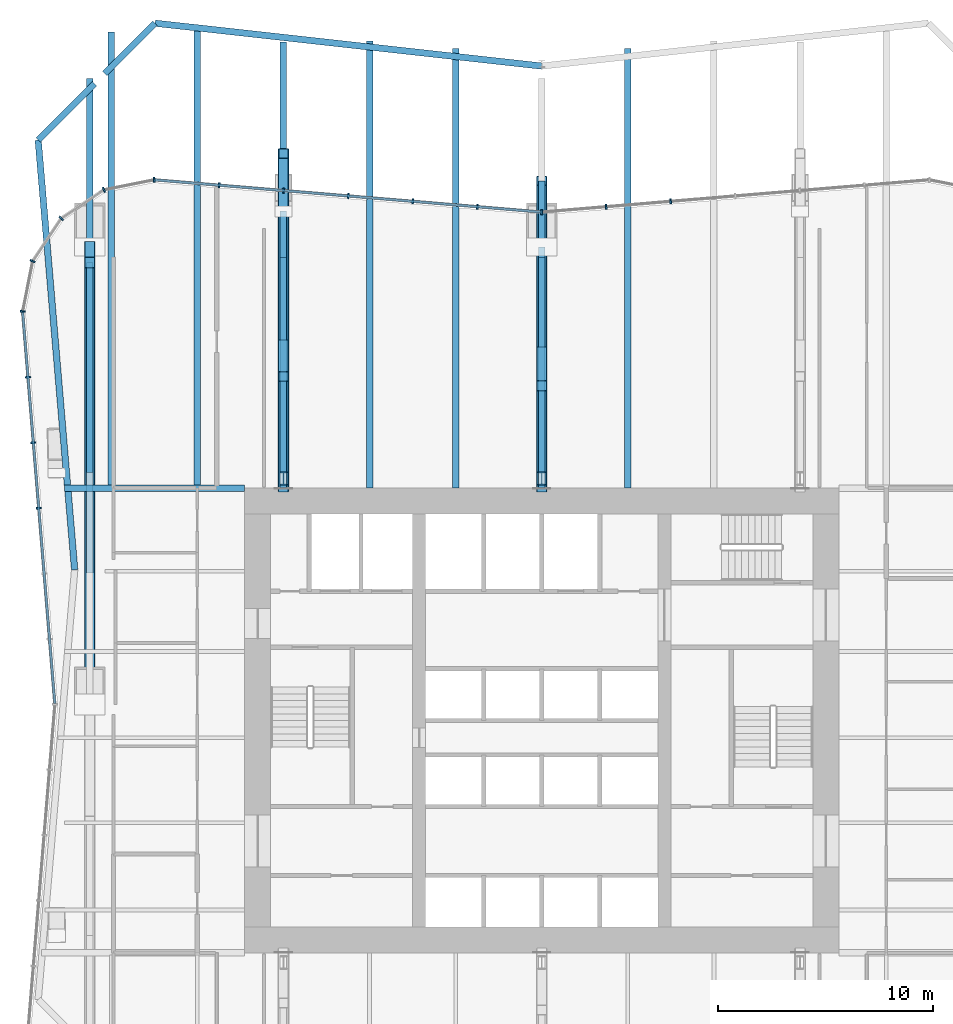
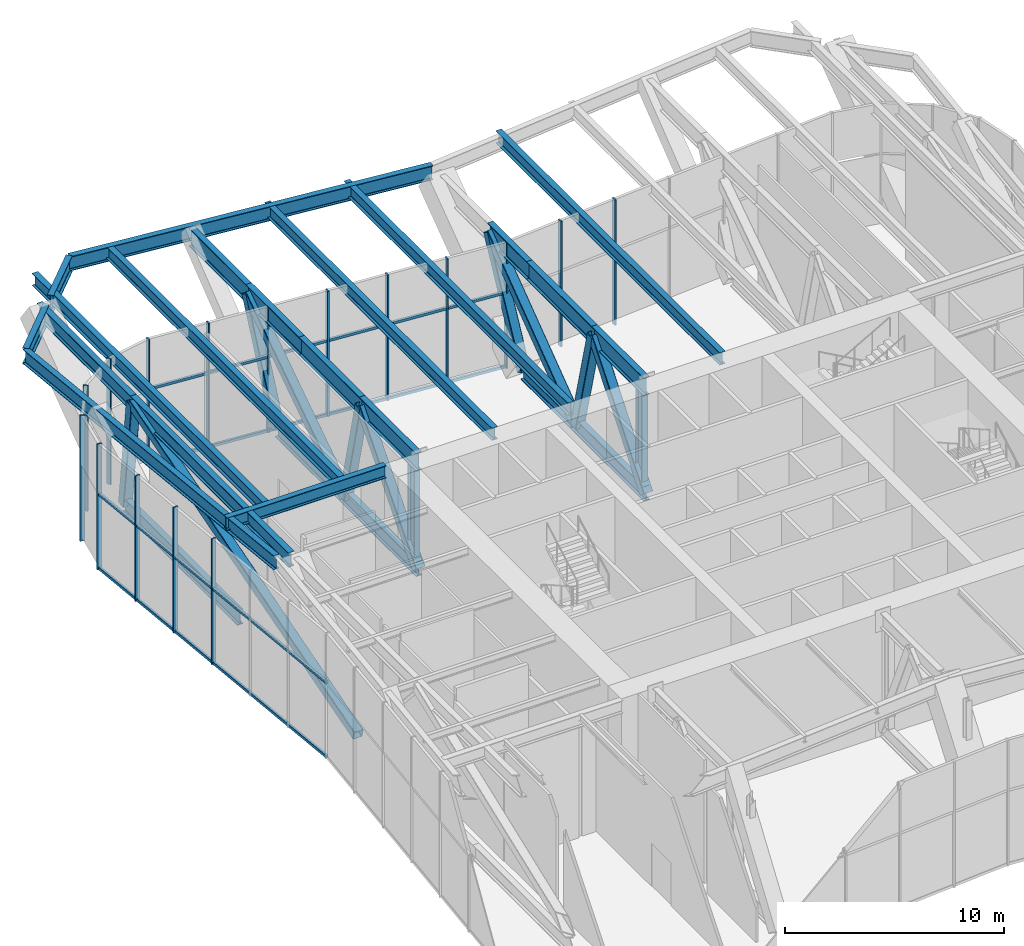
# One storey, part 8 of 17: 44 members, 10 beams, 3 elements without a shape of their own.
"""IFC4 building model written with IfcOpenShell, lengths in metres."""

from ifc_helpers import new_model, si_unit, direction, frame, origin, origin_2d, place, context, subcontext, project, spatial, rectangle, hollow_rectangle, i_section, extrude, material, material_profile, profile_set, type_object, element, aggregate, save


model = new_model("IFC4")

# Units and contexts
model_context = context("Model", 3, precision=1e-05, world=origin(), true_north=direction((0.0, 1.0)))
body_context = subcontext(model_context, "Body", "Model", "MODEL_VIEW")
ifc_project = project(units=[si_unit("LENGTHUNIT", "METRE"), si_unit("AREAUNIT", "SQUARE_METRE"), si_unit("VOLUMEUNIT", "CUBIC_METRE"), si_unit("PLANEANGLEUNIT", "RADIAN"), si_unit("MASSUNIT", "GRAM", prefix="KILO")], contexts=[model_context])

# Site, building, storey
site_placement = place(None, origin())
site = spatial("IfcSite", under=ifc_project, at=site_placement, CompositionType="ELEMENT")
building_placement = place(site_placement, origin())
building = spatial("IfcBuilding", under=site, at=building_placement, Name="Verdant Reach Tower", CompositionType="ELEMENT")
storey_placement = place(building_placement, frame((0.0, 0.0, 114.0)))
storey = spatial("IfcBuildingStorey", under=building, at=storey_placement, Name="L26 Plant", CompositionType="ELEMENT", Elevation=114.0)

# Curtain wall, members
ifc_material_1 = material(Name="Anodised aluminium", Category="aluminium")
curtain_wall_type = type_object("IfcCurtainWallType", Name="EN-CW SYSTEM PLANT", PredefinedType="NOTDEFINED", material=ifc_material_1)
curtain_wall_1_placement = place(storey_placement, origin())
curtain_wall_1 = element("IfcCurtainWall", 1, at=curtain_wall_1_placement, inside=storey, type_object=curtain_wall_type, Name="Curtain wall north, L26", PredefinedType="NOTDEFINED")
ifc_material_profile_1 = material_profile(ifc_material_1, rectangle(XDim=0.238037109375, YDim=0.080078125, at=origin_2d()), Name="Mullion 80x240")
ifc_profile_set_1 = profile_set([ifc_material_profile_1], Name="Anodised aluminium")
member_type_1 = type_object("IfcMemberType", Name="EN-MULLION PLANT", PredefinedType="MULLION", material=ifc_profile_set_1)
member_1_placement = place(storey_placement, frame((5.990234375, 52.11865234375, -0.35009765625), z_axis=(0.0, 0.0, 1.0), x_axis=(-0.083045479859, 0.996545758244, 0.0)))
member_1 = element("IfcMember", 2, at=member_1_placement, type_object=member_type_1, Name="Mullion north face part 1 5, L26", PredefinedType="MULLION", context=body_context, shape_type="SweptSolid", body=[
    extrude(rectangle(XDim=0.238037109375, YDim=0.080078125, at=origin_2d()), origin(), (0.0, 0.0, 1.0), 7.0),
])
member_2_placement = place(storey_placement, frame((2.990234375, 51.86865234375, -0.35009765625), z_axis=(0.0, 0.0, 1.0), x_axis=(-0.083045479859, 0.996545758244, 0.0)))
member_2 = element("IfcMember", 3, at=member_2_placement, type_object=member_type_1, Name="Mullion north face part 1 6, L26", PredefinedType="MULLION", context=body_context, shape_type="SweptSolid", body=[
    extrude(rectangle(XDim=0.238037109375, YDim=0.080078125, at=origin_2d()), origin(), (0.0, 0.0, 1.0), 7.0),
])
member_3_placement = place(storey_placement, frame((0.0, 51.618896484375, -0.35009765625), z_axis=(0.0, 0.0, 1.0), x_axis=(0.0, 1.0, 0.0)))
member_3 = element("IfcMember", 4, at=member_3_placement, type_object=member_type_1, Name="Mullion north face part 2 1, L26", PredefinedType="MULLION", context=body_context, shape_type="SweptSolid", body=[
    extrude(rectangle(XDim=0.238037109375, YDim=0.080078125, at=origin_2d()), origin(), (0.0, 0.0, 1.0), 7.0),
])
member_4_placement = place(storey_placement, frame((-2.990234375, 51.86865234375, -0.35009765625), z_axis=(0.0, 0.0, 1.0), x_axis=(0.083045479859, 0.996545758244, 0.0)))
member_4 = element("IfcMember", 5, at=member_4_placement, type_object=member_type_1, Name="Mullion north face part 2 2, L26", PredefinedType="MULLION", context=body_context, shape_type="SweptSolid", body=[
    extrude(rectangle(XDim=0.238037109375, YDim=0.080078125, at=origin_2d()), origin(), (0.0, 0.0, 1.0), 7.0),
])
member_5_placement = place(storey_placement, frame((-5.990234375, 52.11865234375, -0.35009765625), z_axis=(0.0, 0.0, 1.0), x_axis=(0.083045479859, 0.996545758244, 0.0)))
member_5 = element("IfcMember", 6, at=member_5_placement, type_object=member_type_1, Name="Mullion north face part 2 3, L26", PredefinedType="MULLION", context=body_context, shape_type="SweptSolid", body=[
    extrude(rectangle(XDim=0.238037109375, YDim=0.080078125, at=origin_2d()), origin(), (0.0, 0.0, 1.0), 7.0),
])
member_6_placement = place(storey_placement, frame((-8.990234375, 52.36865234375, -0.35009765625), z_axis=(0.0, 0.0, 1.0), x_axis=(0.083045479859, 0.996545758244, 0.0)))
member_6 = element("IfcMember", 7, at=member_6_placement, type_object=member_type_1, Name="Mullion north face part 2 4, L26", PredefinedType="MULLION", context=body_context, shape_type="SweptSolid", body=[
    extrude(rectangle(XDim=0.238037109375, YDim=0.080078125, at=origin_2d()), origin(), (0.0, 0.0, 1.0), 7.0),
])
member_7_placement = place(storey_placement, frame((-11.990234375, 52.61865234375, -0.35009765625), z_axis=(0.0, 0.0, 1.0), x_axis=(0.083045479859, 0.996545758244, 0.0)))
member_7 = element("IfcMember", 8, at=member_7_placement, type_object=member_type_1, Name="Mullion north face part 2 5, L26", PredefinedType="MULLION", context=body_context, shape_type="SweptSolid", body=[
    extrude(rectangle(XDim=0.238037109375, YDim=0.080078125, at=origin_2d()), origin(), (0.0, 0.0, 1.0), 7.0),
])
member_8_placement = place(storey_placement, frame((-14.990234375, 52.86865234375, -0.35009765625), z_axis=(0.0, 0.0, 1.0), x_axis=(0.083045479859, 0.996545758244, 0.0)))
member_8 = element("IfcMember", 9, at=member_8_placement, type_object=member_type_1, Name="Mullion north face part 2 6, L26", PredefinedType="MULLION", context=body_context, shape_type="SweptSolid", body=[
    extrude(rectangle(XDim=0.238037109375, YDim=0.080078125, at=origin_2d()), origin(), (0.0, 0.0, 1.0), 7.0),
])

curtain_wall_2_placement = place(storey_placement, origin())
curtain_wall_2 = element("IfcCurtainWall", 10, at=curtain_wall_2_placement, inside=storey, type_object=curtain_wall_type, Name="Curtain wall north-west corner, L26", PredefinedType="NOTDEFINED")
member_9_placement = place(storey_placement, frame((-18.0068359375, 53.118896484375, -0.35009765625), z_axis=(0.0, 0.0, 1.0), x_axis=(-0.056569187765, 0.998398681387, 0.0)))
member_9 = element("IfcMember", 11, at=member_9_placement, type_object=member_type_1, Name="Mullion north-west corner 1, L26", PredefinedType="MULLION", context=body_context, shape_type="SweptSolid", body=[
    extrude(rectangle(XDim=0.238037109375, YDim=0.080078125, at=origin_2d()), origin(), (0.0, 0.0, 1.0), 7.0),
])
member_10_placement = place(storey_placement, frame((-20.341552734375, 52.6533203125, -0.35009765625), z_axis=(0.0, 0.0, 1.0), x_axis=(-0.382693853776, 0.923875215753, 0.0)))
member_10 = element("IfcMember", 12, at=member_10_placement, type_object=member_type_1, Name="Mullion north-west corner 2, L26", PredefinedType="MULLION", context=body_context, shape_type="SweptSolid", body=[
    extrude(rectangle(XDim=0.238037109375, YDim=0.080078125, at=origin_2d()), origin(), (0.0, 0.0, 1.0), 7.0),
])
member_11_placement = place(storey_placement, frame((-22.32666015625, 51.32666015625, -0.35009765625), z_axis=(0.0, 0.0, 1.0), x_axis=(-0.707106781187, 0.707106781187, 0.0)))
member_11 = element("IfcMember", 13, at=member_11_placement, type_object=member_type_1, Name="Mullion north-west corner 3, L26", PredefinedType="MULLION", context=body_context, shape_type="SweptSolid", body=[
    extrude(rectangle(XDim=0.238037109375, YDim=0.080078125, at=origin_2d()), origin(), (0.0, 0.0, 1.0), 7.0),
])
member_12_placement = place(storey_placement, frame((-23.6533203125, 49.341552734375, -0.35009765625), z_axis=(0.0, 0.0, 1.0), x_axis=(-0.923875215753, 0.382693853776, 0.0)))
member_12 = element("IfcMember", 14, at=member_12_placement, type_object=member_type_1, Name="Mullion north-west corner 4, L26", PredefinedType="MULLION", context=body_context, shape_type="SweptSolid", body=[
    extrude(rectangle(XDim=0.238037109375, YDim=0.080078125, at=origin_2d()), origin(), (0.0, 0.0, 1.0), 7.0),
])
aggregate(curtain_wall_2, [member_9, member_10, member_11, member_12])

curtain_wall_3_placement = place(storey_placement, origin())
curtain_wall_3 = element("IfcCurtainWall", 15, at=curtain_wall_3_placement, inside=storey, type_object=curtain_wall_type, Name="Curtain wall west, L26", PredefinedType="NOTDEFINED")
member_13_placement = place(storey_placement, frame((-24.118896484375, 47.0068359375, -0.35009765625), z_axis=(0.0, 0.0, 1.0), x_axis=(-0.998366452275, 0.057135164055, 0.0)))
member_13 = element("IfcMember", 16, at=member_13_placement, type_object=member_type_1, Name="Mullion west face part 1 1, L26", PredefinedType="MULLION", context=body_context, shape_type="SweptSolid", body=[
    extrude(rectangle(XDim=0.238037109375, YDim=0.080078125, at=origin_2d()), origin(), (0.0, 0.0, 1.0), 7.0),
])
member_14_placement = place(storey_placement, frame((-23.86865234375, 43.948486328125, -0.35009765625), z_axis=(0.0, 0.0, 1.0), x_axis=(-0.996639273542, -0.081915556724, 0.0)))
member_14 = element("IfcMember", 17, at=member_14_placement, type_object=member_type_1, Name="Mullion west face part 1 2, L26", PredefinedType="MULLION", context=body_context, shape_type="SweptSolid", body=[
    extrude(rectangle(XDim=0.238037109375, YDim=0.080078125, at=origin_2d()), origin(), (0.0, 0.0, 1.0), 7.0),
])
member_15_placement = place(storey_placement, frame((-23.61865234375, 40.906982421875, -0.35009765625), z_axis=(0.0, 0.0, 1.0), x_axis=(-0.996639273542, -0.081915556724, 0.0)))
member_15 = element("IfcMember", 18, at=member_15_placement, type_object=member_type_1, Name="Mullion west face part 1 3, L26", PredefinedType="MULLION", context=body_context, shape_type="SweptSolid", body=[
    extrude(rectangle(XDim=0.238037109375, YDim=0.080078125, at=origin_2d()), origin(), (0.0, 0.0, 1.0), 7.0),
])
member_16_placement = place(storey_placement, frame((-23.36865234375, 37.865234375, -0.35009765625), z_axis=(0.0, 0.0, 1.0), x_axis=(-0.996639273542, -0.081915556724, 0.0)))
member_16 = element("IfcMember", 19, at=member_16_placement, type_object=member_type_1, Name="Mullion west face part 1 4, L26", PredefinedType="MULLION", context=body_context, shape_type="SweptSolid", body=[
    extrude(rectangle(XDim=0.238037109375, YDim=0.080078125, at=origin_2d()), origin(), (0.0, 0.0, 1.0), 7.0),
])

# Member
ifc_material_profile_2 = material_profile(ifc_material_1, rectangle(XDim=0.1201171875, YDim=0.14990234375, at=origin_2d()), Name="Transom 150x120")
ifc_profile_set_2 = profile_set([ifc_material_profile_2], Name="Anodised aluminium")
member_type_2 = type_object("IfcMemberType", Name="EN-TRANSOM PLANT", PredefinedType="USERDEFINED", material=ifc_profile_set_2)
member_17_placement = place(storey_placement, frame((-0.039794921875, 51.622314453125, -0.27490234375), z_axis=(-0.996549220477, 0.083003922598, 0.0), x_axis=(-0.083003922598, -0.996549220477, 0.0)))
member_17 = element("IfcMember", 20, at=member_17_placement, type_object=member_type_2, Name="Transom north face part 2 1.1, L26", ObjectType="TRANSOM", PredefinedType="USERDEFINED", context=body_context, shape_type="SweptSolid", body=[
    extrude(rectangle(XDim=0.1201171875, YDim=0.14990234375, at=origin_2d()), origin(), (0.0, 0.0, 1.0), 17.989013671875),
])

member_18_placement = place(storey_placement, frame((-0.039794921875, 51.622314453125, 3.85009765625), z_axis=(-0.996549220477, 0.083003922598, 0.0), x_axis=(-0.083003922598, -0.996549220477, 0.0)))
member_18 = element("IfcMember", 21, at=member_18_placement, type_object=member_type_2, Name="Transom north face part 2 1.2, L26", ObjectType="TRANSOM", PredefinedType="USERDEFINED", context=body_context, shape_type="SweptSolid", body=[
    extrude(rectangle(XDim=0.1201171875, YDim=0.14990234375, at=origin_2d()), origin(), (0.0, 0.0, 1.0), 17.989013671875),
])

aggregate(curtain_wall_1, [member_1, member_2, member_3, member_4, member_5, member_6, member_7, member_8, member_17, member_18])

member_19_placement = place(storey_placement, frame((-24.115478515625, 46.967041015625, -0.27490234375), z_axis=(0.081868928861, -0.996643104871, 0.0), x_axis=(0.996643104871, 0.081868928861, 0.0)))
member_19 = element("IfcMember", 22, at=member_19_placement, type_object=member_type_2, Name="Transom west face part 1 1.1, L26", ObjectType="TRANSOM", PredefinedType="USERDEFINED", context=body_context, shape_type="SweptSolid", body=[
    extrude(rectangle(XDim=0.1201171875, YDim=0.14990234375, at=origin_2d()), origin(), (0.0, 0.0, 1.0), 18.238525390625),
])

member_20_placement = place(storey_placement, frame((-24.115478515625, 46.967041015625, 3.85009765625), z_axis=(0.081868928861, -0.996643104871, 0.0), x_axis=(0.996643104871, 0.081868928861, 0.0)))
member_20 = element("IfcMember", 23, at=member_20_placement, type_object=member_type_2, Name="Transom west face part 1 1.2, L26", ObjectType="TRANSOM", PredefinedType="USERDEFINED", context=body_context, shape_type="SweptSolid", body=[
    extrude(rectangle(XDim=0.1201171875, YDim=0.14990234375, at=origin_2d()), origin(), (0.0, 0.0, 1.0), 18.238525390625),
])

aggregate(curtain_wall_3, [member_13, member_14, member_15, member_16, member_19, member_20])

# Beams
ifc_material_2 = material(Name="Steel S355", Category="steel")
ifc_material_profile_3 = material_profile(ifc_material_2, i_section(OverallWidth=0.300048828125, OverallDepth=0.699951171875, WebThickness=0.01708984375, FlangeThickness=0.031982421875, FilletRadius=0.027099609375, at=origin_2d()), Name="HEB 700")
ifc_profile_set_3 = profile_set([ifc_material_profile_3], Name="Steel S355")
beam_type_1 = type_object("IfcBeamType", Name="ST-BEAM-HEB700", PredefinedType="BEAM", material=ifc_profile_set_3)
beam_1_placement = place(storey_placement, frame((-13.800048828125, 38.800048828125, 6.52001953125), z_axis=(-1.0, 0.0, 0.0), x_axis=(0.0, -1.0, 0.0)))
element("IfcBeam", 24, at=beam_1_placement, inside=storey, type_object=beam_type_1, Name="Trimmer beam, L26 Plant", PredefinedType="BEAM", context=body_context, shape_type="SweptSolid", body=[
    extrude(i_section(OverallWidth=0.300048828125, OverallDepth=0.699951171875, WebThickness=0.01708984375, FlangeThickness=0.031982421875, FilletRadius=0.027099609375, at=origin_2d()), origin(), (0.0, 0.0, 1.0), 8.38330078125),
])
ifc_material_profile_4 = material_profile(ifc_material_2, i_section(OverallWidth=0.300048828125, OverallDepth=0.68994140625, WebThickness=0.014404296875, FlangeThickness=0.027099609375, FilletRadius=0.027099609375, at=origin_2d()), Name="HEA 700")
ifc_profile_set_4 = profile_set([ifc_material_profile_4], Name="Steel S355")
beam_type_2 = type_object("IfcBeamType", Name="ST-JOIST-HEA700", PredefinedType="JOIST", material=ifc_profile_set_4)
beam_2_placement = place(storey_placement, frame((-20.0, 38.89990234375, 6.52490234375), z_axis=(0.0, 1.0, 0.0), x_axis=(-1.0, 0.0, 0.0)))
element("IfcBeam", 25, at=beam_2_placement, inside=storey, type_object=beam_type_2, Name="Floor joist, L26 Plant", PredefinedType="JOIST", context=body_context, shape_type="SweptSolid", body=[
    extrude(i_section(OverallWidth=0.300048828125, OverallDepth=0.68994140625, WebThickness=0.014404296875, FlangeThickness=0.027099609375, FilletRadius=0.027099609375, at=origin_2d()), origin(), (0.0, 0.0, 1.0), 21.090576171875),
])
beam_3_placement = place(storey_placement, frame((-16.0, 38.89990234375, 6.52490234375), z_axis=(0.0, 1.0, 0.0), x_axis=(-1.0, 0.0, 0.0)))
element("IfcBeam", 26, at=beam_3_placement, inside=storey, type_object=beam_type_2, Name="Floor joist, L26 Plant", PredefinedType="JOIST", context=body_context, shape_type="SweptSolid", body=[
    extrude(i_section(OverallWidth=0.300048828125, OverallDepth=0.68994140625, WebThickness=0.014404296875, FlangeThickness=0.027099609375, FilletRadius=0.027099609375, at=origin_2d()), origin(), (0.0, 0.0, 1.0), 21.331298828125),
])
beam_4_placement = place(storey_placement, frame((-8.0, 38.800048828125, 6.52490234375), z_axis=(0.0, 1.0, 0.0), x_axis=(-1.0, 0.0, 0.0)))
element("IfcBeam", 27, at=beam_4_placement, inside=storey, type_object=beam_type_2, Name="Floor joist, L26 Plant", PredefinedType="JOIST", context=body_context, shape_type="SweptSolid", body=[
    extrude(i_section(OverallWidth=0.300048828125, OverallDepth=0.68994140625, WebThickness=0.014404296875, FlangeThickness=0.027099609375, FilletRadius=0.027099609375, at=origin_2d()), origin(), (0.0, 0.0, 1.0), 20.7646484375),
])
for number, where, z_axis, x_axis, name in (
    (28, (-4.0, 38.800048828125, 6.52490234375), (0.0, 1.0, 0.0), (-1.0, 0.0, 0.0), "Floor joist, L26 Plant"),
    (29, (4.0, 38.800048828125, 6.52490234375), (0.0, 1.0, 0.0), (-1.0, 0.0, 0.0), "Floor joist, L26 Plant"),
):
    element("IfcBeam", number, at=place(storey_placement, frame(where, z_axis=z_axis, x_axis=x_axis)), inside=storey, type_object=beam_type_2, Name=name, PredefinedType="JOIST", context=body_context, shape_type="SweptSolid", body=[
        extrude(i_section(OverallWidth=0.300048828125, OverallDepth=0.68994140625, WebThickness=0.014404296875, FlangeThickness=0.027099609375, FilletRadius=0.027099609375, at=origin_2d()), origin(), (0.0, 0.0, 1.0), 20.43115234375),
    ])
ifc_material_profile_5 = material_profile(ifc_material_2, i_section(OverallWidth=0.300048828125, OverallDepth=0.800048828125, WebThickness=0.017578125, FlangeThickness=0.032958984375, FilletRadius=0.030029296875, at=origin_2d()), Name="HEB 800")
ifc_profile_set_5 = profile_set([ifc_material_profile_5], Name="Steel S355")
beam_type_3 = type_object("IfcBeamType", Name="ST-SPANDREL-HEB800", PredefinedType="SPANDREL", material=ifc_profile_set_5)
beam_5_placement = place(storey_placement, frame((-21.699951171875, 35.0, 6.469970703125), z_axis=(-0.084629683937, 0.996412473124, 0.0), x_axis=(-0.996412473124, -0.084629683937, 0.0)))
element("IfcBeam", 30, at=beam_5_placement, inside=storey, type_object=beam_type_3, Name="Edge beam, L26 Plant", PredefinedType="SPANDREL", context=body_context, shape_type="SweptSolid", body=[
    extrude(i_section(OverallWidth=0.300048828125, OverallDepth=0.800048828125, WebThickness=0.017578125, FlangeThickness=0.032958984375, FilletRadius=0.030029296875, at=origin_2d()), origin(), (0.0, 0.0, 1.0), 20.034912109375),
])
beam_6_placement = place(storey_placement, frame((-17.9658203125, 60.39501953125, 6.469970703125), z_axis=(0.993916961694, -0.110132071882, 0.0), x_axis=(0.110132071882, 0.993916961694, 0.0)))
element("IfcBeam", 31, at=beam_6_placement, inside=storey, type_object=beam_type_3, Name="Edge beam, L26 Plant", PredefinedType="SPANDREL", context=body_context, shape_type="SweptSolid", body=[
    extrude(i_section(OverallWidth=0.300048828125, OverallDepth=0.800048828125, WebThickness=0.017578125, FlangeThickness=0.032958984375, FilletRadius=0.030029296875, at=origin_2d()), origin(), (0.0, 0.0, 1.0), 18.07568359375),
])
ifc_material_profile_6 = material_profile(ifc_material_2, i_section(OverallWidth=0.302001953125, OverallDepth=0.909912109375, WebThickness=0.02099609375, FlangeThickness=0.0400390625, FilletRadius=0.030029296875, at=origin_2d()), Name="HEM 900")
ifc_profile_set_6 = profile_set([ifc_material_profile_6], Name="Steel S355")
beam_type_4 = type_object("IfcBeamType", Name="ST-SPANDREL-HEM900", PredefinedType="SPANDREL", material=ifc_profile_set_6)
beam_7_placement = place(storey_placement, frame((-23.3955078125, 54.963134765625, 6.4150390625), z_axis=(0.706974673431, 0.707238864265, 0.0), x_axis=(-0.707238864265, 0.706974673431, 0.0)))
element("IfcBeam", 32, at=beam_7_placement, inside=storey, type_object=beam_type_4, Name="Edge beam, L26 Plant", PredefinedType="SPANDREL", context=body_context, shape_type="SweptSolid", body=[
    extrude(i_section(OverallWidth=0.302001953125, OverallDepth=0.909912109375, WebThickness=0.02099609375, FlangeThickness=0.0400390625, FilletRadius=0.030029296875, at=origin_2d()), origin(), (0.0, 0.0, 1.0), 3.696533203125),
])
beam_8_placement = place(storey_placement, frame((-20.300048828125, 58.059814453125, 6.4150390625), z_axis=(0.706958881844, 0.707254649601, 0.0), x_axis=(-0.707254649601, 0.706958881844, 0.0)))
element("IfcBeam", 33, at=beam_8_placement, inside=storey, type_object=beam_type_4, Name="Edge beam, L26 Plant", PredefinedType="SPANDREL", context=body_context, shape_type="SweptSolid", body=[
    extrude(i_section(OverallWidth=0.302001953125, OverallDepth=0.909912109375, WebThickness=0.02099609375, FlangeThickness=0.0400390625, FilletRadius=0.030029296875, at=origin_2d()), origin(), (0.0, 0.0, 1.0), 3.3017578125),
])

# Members
ifc_material_3 = material(Name="Steel S460", Category="steel")
ifc_material_profile_7 = material_profile(ifc_material_3, hollow_rectangle(XDim=0.5, YDim=0.5, WallThickness=0.02490234375, InnerFilletRadius=0.02490234375, OuterFilletRadius=0.050048828125, at=origin_2d()), Name="RHS 500x500x25")
ifc_profile_set_7 = profile_set([ifc_material_profile_7], Name="Steel S460")
member_type_3 = type_object("IfcMemberType", Name="ST-TRUSS-BRACE-RHS500x500x25", PredefinedType="BRACE", material=ifc_profile_set_7)
member_21_placement = place(storey_placement, frame((-12.0, 38.800048828125, 0.406982421875), z_axis=(0.0, 0.656084552921, 0.754687391851), x_axis=(-1.0, 0.0, 0.0)))
element("IfcMember", 34, at=member_21_placement, inside=storey, type_object=member_type_3, Name="Outrigger truss C north, diagonal, L26 Plant", PredefinedType="BRACE", context=body_context, shape_type="SweptSolid", body=[
    extrude(hollow_rectangle(XDim=0.5, YDim=0.5, WallThickness=0.02490234375, InnerFilletRadius=0.02490234375, OuterFilletRadius=0.050048828125, at=origin_2d()), origin(), (0.0, 0.0, 1.0), 7.89599609375),
])
member_22_placement = place(storey_placement, frame((-12.0, 43.98046875, 6.365966796875), z_axis=(0.0, 0.237888649793, -0.971292432947), x_axis=(-1.0, 0.0, 0.0)))
element("IfcMember", 35, at=member_22_placement, inside=storey, type_object=member_type_3, Name="Outrigger truss C north, diagonal, L26 Plant", PredefinedType="BRACE", context=body_context, shape_type="SweptSolid", body=[
    extrude(hollow_rectangle(XDim=0.5, YDim=0.5, WallThickness=0.02490234375, InnerFilletRadius=0.02490234375, OuterFilletRadius=0.050048828125, at=origin_2d()), origin(), (0.0, 0.0, 1.0), 6.135009765625),
])
member_23_placement = place(storey_placement, frame((-12.0, 45.43994140625, 0.406982421875), z_axis=(0.0, 0.830989864134, 0.556287556671), x_axis=(-1.0, 0.0, 0.0)))
element("IfcMember", 36, at=member_23_placement, inside=storey, type_object=member_type_3, Name="Outrigger truss C north, diagonal, L26 Plant", PredefinedType="BRACE", context=body_context, shape_type="SweptSolid", body=[
    extrude(hollow_rectangle(XDim=0.5, YDim=0.5, WallThickness=0.02490234375, InnerFilletRadius=0.02490234375, OuterFilletRadius=0.050048828125, at=origin_2d()), origin(), (0.0, 0.0, 1.0), 10.712158203125),
])
member_24_placement = place(storey_placement, frame((-12.0, 54.341552734375, 6.365966796875), z_axis=(0.0, -0.410470306807, -0.911873964553), x_axis=(1.0, 0.0, 0.0)))
element("IfcMember", 37, at=member_24_placement, inside=storey, type_object=member_type_3, Name="Outrigger truss C north, diagonal, L26 Plant", PredefinedType="BRACE", context=body_context, shape_type="SweptSolid", body=[
    extrude(hollow_rectangle(XDim=0.5, YDim=0.5, WallThickness=0.02490234375, InnerFilletRadius=0.02490234375, OuterFilletRadius=0.050048828125, at=origin_2d()), origin(), (0.0, 0.0, 1.0), 6.534912109375),
])
member_25_placement = place(storey_placement, frame((0.0, 38.800048828125, 0.406982421875), z_axis=(0.0, 0.623788638685, 0.78159307459), x_axis=(-1.0, 0.0, 0.0)))
element("IfcMember", 38, at=member_25_placement, inside=storey, type_object=member_type_3, Name="Outrigger truss D north, diagonal, L26 Plant", PredefinedType="BRACE", context=body_context, shape_type="SweptSolid", body=[
    extrude(hollow_rectangle(XDim=0.5, YDim=0.5, WallThickness=0.02490234375, InnerFilletRadius=0.02490234375, OuterFilletRadius=0.050048828125, at=origin_2d()), origin(), (0.0, 0.0, 1.0), 7.624267578125),
])
member_26_placement = place(storey_placement, frame((0.0, 43.555908203125, 6.365966796875), z_axis=(0.0, 0.251556595837, -0.967842590038), x_axis=(-1.0, 0.0, 0.0)))
element("IfcMember", 39, at=member_26_placement, inside=storey, type_object=member_type_3, Name="Outrigger truss D north, diagonal, L26 Plant", PredefinedType="BRACE", context=body_context, shape_type="SweptSolid", body=[
    extrude(hollow_rectangle(XDim=0.5, YDim=0.5, WallThickness=0.02490234375, InnerFilletRadius=0.02490234375, OuterFilletRadius=0.050048828125, at=origin_2d()), origin(), (0.0, 0.0, 1.0), 6.156982421875),
])
member_27_placement = place(storey_placement, frame((0.0, 45.104736328125, 0.406982421875), z_axis=(0.0, 0.800627004739, 0.599163082376), x_axis=(-1.0, 0.0, 0.0)))
element("IfcMember", 40, at=member_27_placement, inside=storey, type_object=member_type_3, Name="Outrigger truss D north, diagonal, L26 Plant", PredefinedType="BRACE", context=body_context, shape_type="SweptSolid", body=[
    extrude(hollow_rectangle(XDim=0.5, YDim=0.5, WallThickness=0.02490234375, InnerFilletRadius=0.02490234375, OuterFilletRadius=0.050048828125, at=origin_2d()), origin(), (0.0, 0.0, 1.0), 9.945556640625),
])
member_28_placement = place(storey_placement, frame((0.0, 53.0673828125, 6.365966796875), z_axis=(0.0, -0.456607444184, -0.889668276334), x_axis=(1.0, 0.0, 0.0)))
element("IfcMember", 41, at=member_28_placement, inside=storey, type_object=member_type_3, Name="Outrigger truss D north, diagonal, L26 Plant", PredefinedType="BRACE", context=body_context, shape_type="SweptSolid", body=[
    extrude(hollow_rectangle(XDim=0.5, YDim=0.5, WallThickness=0.02490234375, InnerFilletRadius=0.02490234375, OuterFilletRadius=0.050048828125, at=origin_2d()), origin(), (0.0, 0.0, 1.0), 6.697998046875),
])
member_29_placement = place(storey_placement, frame((-21.0, 28.757080078125, 0.406982421875), z_axis=(0.0, 0.959111657306, 0.283027964732), x_axis=(-1.0, 0.0, 0.0)))
element("IfcMember", 42, at=member_29_placement, inside=storey, type_object=member_type_3, Name="Transfer truss B west, diagonal, L26 Plant", PredefinedType="BRACE", context=body_context, shape_type="SweptSolid", body=[
    extrude(hollow_rectangle(XDim=0.5, YDim=0.5, WallThickness=0.02490234375, InnerFilletRadius=0.02490234375, OuterFilletRadius=0.050048828125, at=origin_2d()), origin(), (0.0, 0.0, 1.0), 21.39697265625),
])
member_30_placement = place(storey_placement, frame((-21.0, 49.279052734375, 6.462890625), z_axis=(0.0, 0.119673921477, -0.992813251583), x_axis=(-1.0, 0.0, 0.0)))
element("IfcMember", 43, at=member_30_placement, inside=storey, type_object=member_type_3, Name="Transfer truss B west, diagonal, L26 Plant", PredefinedType="BRACE", context=body_context, shape_type="SweptSolid", body=[
    extrude(hollow_rectangle(XDim=0.5, YDim=0.5, WallThickness=0.02490234375, InnerFilletRadius=0.02490234375, OuterFilletRadius=0.050048828125, at=origin_2d()), origin(), (0.0, 0.0, 1.0), 6.099853515625),
])
ifc_material_profile_8 = material_profile(ifc_material_3, i_section(OverallWidth=0.302001953125, OverallDepth=1.008056640625, WebThickness=0.02099609375, FlangeThickness=0.0400390625, FilletRadius=0.030029296875, at=origin_2d()), Name="HEM 1000")
ifc_profile_set_8 = profile_set([ifc_material_profile_8], Name="Steel S460")
member_type_4 = type_object("IfcMemberType", Name="ST-TRUSS-CHORD-HEM1000", PredefinedType="CHORD", material=ifc_profile_set_8)
member_31_placement = place(storey_placement, frame((-12.0, 38.800048828125, 6.365966796875), z_axis=(0.0, 1.0, 0.0), x_axis=(-1.0, 0.0, 0.0)))
element("IfcMember", 44, at=member_31_placement, inside=storey, type_object=member_type_4, Name="Outrigger truss C north, top chord, L26 Plant", PredefinedType="CHORD", context=body_context, shape_type="SweptSolid", body=[
    extrude(i_section(OverallWidth=0.302001953125, OverallDepth=1.008056640625, WebThickness=0.02099609375, FlangeThickness=0.0400390625, FilletRadius=0.030029296875, at=origin_2d()), origin(), (0.0, 0.0, 1.0), 5.180419921875),
])
member_32_placement = place(storey_placement, frame((-12.0, 43.98046875, 6.365966796875), z_axis=(0.0, 1.0, 0.0), x_axis=(-1.0, 0.0, 0.0)))
element("IfcMember", 45, at=member_32_placement, inside=storey, type_object=member_type_4, Name="Outrigger truss C north, top chord, L26 Plant", PredefinedType="CHORD", context=body_context, shape_type="SweptSolid", body=[
    extrude(i_section(OverallWidth=0.302001953125, OverallDepth=1.008056640625, WebThickness=0.02099609375, FlangeThickness=0.0400390625, FilletRadius=0.030029296875, at=origin_2d()), origin(), (0.0, 0.0, 1.0), 5.51953125),
])
member_33_placement = place(storey_placement, frame((-12.0, 49.5, 6.365966796875), z_axis=(0.0, 1.0, 0.0), x_axis=(-1.0, 0.0, 0.0)))
element("IfcMember", 46, at=member_33_placement, inside=storey, type_object=member_type_4, Name="Outrigger truss C north, top chord, L26 Plant", PredefinedType="CHORD", context=body_context, shape_type="SweptSolid", body=[
    extrude(i_section(OverallWidth=0.302001953125, OverallDepth=1.008056640625, WebThickness=0.02099609375, FlangeThickness=0.0400390625, FilletRadius=0.030029296875, at=origin_2d()), origin(), (0.0, 0.0, 1.0), 4.841552734375),
])
member_34_placement = place(storey_placement, frame((-12.0, 54.341552734375, 6.365966796875), z_axis=(0.0, 1.0, 0.0), x_axis=(-1.0, 0.0, 0.0)))
element("IfcMember", 47, at=member_34_placement, inside=storey, type_object=member_type_4, Name="Outrigger truss C north, top chord, L26 Plant", PredefinedType="CHORD", context=body_context, shape_type="SweptSolid", body=[
    extrude(i_section(OverallWidth=0.302001953125, OverallDepth=1.008056640625, WebThickness=0.02099609375, FlangeThickness=0.0400390625, FilletRadius=0.030029296875, at=origin_2d()), origin(), (0.0, 0.0, 1.0), 5.1806640625),
])
member_35_placement = place(storey_placement, frame((0.0, 38.800048828125, 6.365966796875), z_axis=(0.0, 1.0, 0.0), x_axis=(-1.0, 0.0, 0.0)))
element("IfcMember", 48, at=member_35_placement, inside=storey, type_object=member_type_4, Name="Outrigger truss D north, top chord, L26 Plant", PredefinedType="CHORD", context=body_context, shape_type="SweptSolid", body=[
    extrude(i_section(OverallWidth=0.302001953125, OverallDepth=1.008056640625, WebThickness=0.02099609375, FlangeThickness=0.0400390625, FilletRadius=0.030029296875, at=origin_2d()), origin(), (0.0, 0.0, 1.0), 4.755859375),
])
member_36_placement = place(storey_placement, frame((0.0, 43.555908203125, 6.365966796875), z_axis=(0.0, 1.0, 0.0), x_axis=(-1.0, 0.0, 0.0)))
element("IfcMember", 49, at=member_36_placement, inside=storey, type_object=member_type_4, Name="Outrigger truss D north, top chord, L26 Plant", PredefinedType="CHORD", context=body_context, shape_type="SweptSolid", body=[
    extrude(i_section(OverallWidth=0.302001953125, OverallDepth=1.008056640625, WebThickness=0.02099609375, FlangeThickness=0.0400390625, FilletRadius=0.030029296875, at=origin_2d()), origin(), (0.0, 0.0, 1.0), 5.944091796875),
])
member_37_placement = place(storey_placement, frame((0.0, 49.5, 6.365966796875), z_axis=(0.0, 1.0, 0.0), x_axis=(-1.0, 0.0, 0.0)))
element("IfcMember", 50, at=member_37_placement, inside=storey, type_object=member_type_4, Name="Outrigger truss D north, top chord, L26 Plant", PredefinedType="CHORD", context=body_context, shape_type="SweptSolid", body=[
    extrude(i_section(OverallWidth=0.302001953125, OverallDepth=1.008056640625, WebThickness=0.02099609375, FlangeThickness=0.0400390625, FilletRadius=0.030029296875, at=origin_2d()), origin(), (0.0, 0.0, 1.0), 3.5673828125),
])
ifc_material_profile_9 = material_profile(ifc_material_3, i_section(OverallWidth=0.302978515625, OverallDepth=0.81396484375, WebThickness=0.02099609375, FlangeThickness=0.0400390625, FilletRadius=0.030029296875, at=origin_2d()), Name="HEM 800")
ifc_profile_set_9 = profile_set([ifc_material_profile_9], Name="Steel S460")
member_type_5 = type_object("IfcMemberType", Name="ST-TRUSS-CHORD-HEM800", PredefinedType="CHORD", material=ifc_profile_set_9)
member_38_placement = place(storey_placement, frame((-12.0, 38.800048828125, 0.406982421875), z_axis=(0.0, 1.0, 0.0), x_axis=(-1.0, 0.0, 0.0)))
element("IfcMember", 51, at=member_38_placement, inside=storey, type_object=member_type_5, Name="Outrigger truss C north, bottom chord, L26 Plant", PredefinedType="CHORD", context=body_context, shape_type="SweptSolid", body=[
    extrude(i_section(OverallWidth=0.302978515625, OverallDepth=0.81396484375, WebThickness=0.02099609375, FlangeThickness=0.0400390625, FilletRadius=0.030029296875, at=origin_2d()), origin(), (0.0, 0.0, 1.0), 12.859130859375),
])
member_39_placement = place(storey_placement, frame((0.0, 38.800048828125, 0.406982421875), z_axis=(0.0, 1.0, 0.0), x_axis=(-1.0, 0.0, 0.0)))
element("IfcMember", 52, at=member_39_placement, inside=storey, type_object=member_type_5, Name="Outrigger truss D north, bottom chord, L26 Plant", PredefinedType="CHORD", context=body_context, shape_type="SweptSolid", body=[
    extrude(i_section(OverallWidth=0.302978515625, OverallDepth=0.81396484375, WebThickness=0.02099609375, FlangeThickness=0.0400390625, FilletRadius=0.030029296875, at=origin_2d()), origin(), (0.0, 0.0, 1.0), 11.208984375),
])
member_40_placement = place(storey_placement, frame((-21.0, 34.86181640625, 6.462890625), z_axis=(0.0, 1.0, 0.0), x_axis=(-1.0, 0.0, 0.0)))
element("IfcMember", 53, at=member_40_placement, inside=storey, type_object=member_type_5, Name="Transfer truss B west, top chord, L26 Plant", PredefinedType="CHORD", context=body_context, shape_type="SweptSolid", body=[
    extrude(i_section(OverallWidth=0.302978515625, OverallDepth=0.81396484375, WebThickness=0.02099609375, FlangeThickness=0.0400390625, FilletRadius=0.030029296875, at=origin_2d()), origin(), (0.0, 0.0, 1.0), 14.417236328125),
])
member_41_placement = place(storey_placement, frame((-21.0, 49.279052734375, 6.462890625), z_axis=(0.0, 1.0, 0.0), x_axis=(-1.0, 0.0, 0.0)))
element("IfcMember", 54, at=member_41_placement, inside=storey, type_object=member_type_5, Name="Transfer truss B west, top chord, L26 Plant", PredefinedType="CHORD", context=body_context, shape_type="SweptSolid", body=[
    extrude(i_section(OverallWidth=0.302978515625, OverallDepth=0.81396484375, WebThickness=0.02099609375, FlangeThickness=0.0400390625, FilletRadius=0.030029296875, at=origin_2d()), origin(), (0.0, 0.0, 1.0), 8.544189453125),
])
member_42_placement = place(storey_placement, frame((-21.0, 39.51123046875, 0.406982421875), z_axis=(0.0, 1.0, 0.0), x_axis=(-1.0, 0.0, 0.0)))
element("IfcMember", 55, at=member_42_placement, inside=storey, type_object=member_type_5, Name="Transfer truss B west, bottom chord, L26 Plant", PredefinedType="CHORD", context=body_context, shape_type="SweptSolid", body=[
    extrude(i_section(OverallWidth=0.302978515625, OverallDepth=0.81396484375, WebThickness=0.02099609375, FlangeThickness=0.0400390625, FilletRadius=0.030029296875, at=origin_2d()), origin(), (0.0, 0.0, 1.0), 10.497802734375),
])
ifc_material_profile_10 = material_profile(ifc_material_3, i_section(OverallWidth=0.304931640625, OverallDepth=0.6201171875, WebThickness=0.02099609375, FlangeThickness=0.0400390625, FilletRadius=0.027099609375, at=origin_2d()), Name="HEM 600")
ifc_profile_set_10 = profile_set([ifc_material_profile_10], Name="Steel S460")
member_type_6 = type_object("IfcMemberType", Name="ST-TRUSS-POST-HEM600", PredefinedType="POST", material=ifc_profile_set_10)
for number, where, z_axis, x_axis, name in (
    (56, (-12.0, 39.25, 0.833984375), (0.0, 0.0, 1.0), (1.0, 0.0, 0.0), "Outrigger truss C north, end post, L26 Plant"),
    (57, (0.0, 39.25, 0.833984375), (0.0, 0.0, 1.0), (1.0, 0.0, 0.0), "Outrigger truss D north, end post, L26 Plant"),
):
    element("IfcMember", number, at=place(storey_placement, frame(where, z_axis=z_axis, x_axis=x_axis)), inside=storey, type_object=member_type_6, Name=name, PredefinedType="POST", context=body_context, shape_type="SweptSolid", body=[
        extrude(i_section(OverallWidth=0.304931640625, OverallDepth=0.6201171875, WebThickness=0.02099609375, FlangeThickness=0.0400390625, FilletRadius=0.027099609375, at=origin_2d()), origin(), (0.0, 0.0, 1.0), 5.008056640625),
    ])

save(model, "model.ifc")
